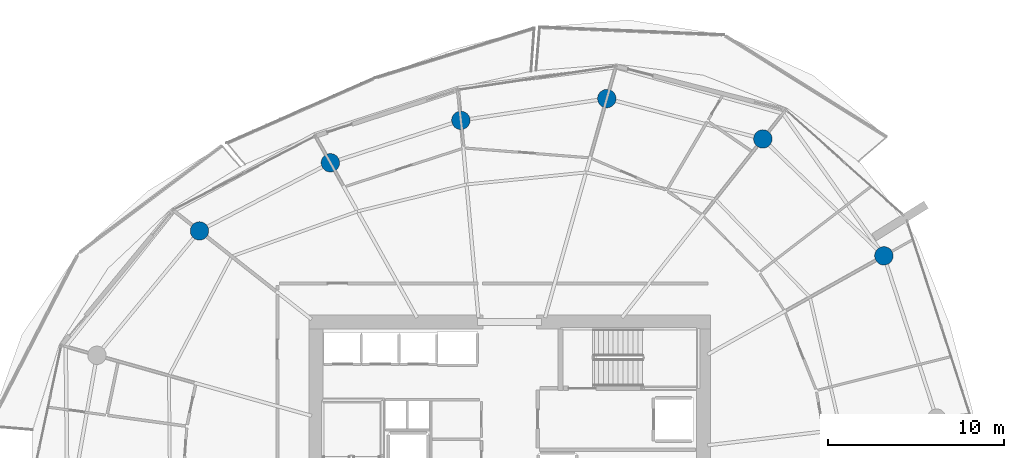
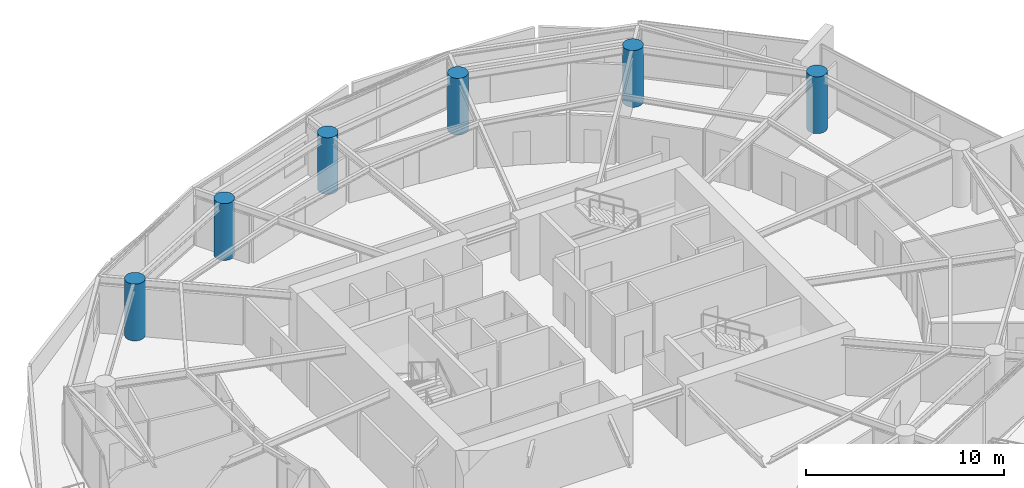
# One storey, part 4 of 20: 6 columns.
"""IFC4 building model written with IfcOpenShell, lengths in metres."""

from ifc_helpers import new_model, si_unit, direction, frame, origin, origin_2d, place, context, subcontext, project, spatial, circle, extrude, material, material_profile, profile_set, type_object, element, save


model = new_model("IFC4")

# Units and contexts
model_context = context("Model", 3, precision=1e-05, world=origin(), true_north=direction((0.0, 1.0)))
body_context = subcontext(model_context, "Body", "Model", "MODEL_VIEW")
ifc_project = project(units=[si_unit("LENGTHUNIT", "METRE"), si_unit("AREAUNIT", "SQUARE_METRE"), si_unit("VOLUMEUNIT", "CUBIC_METRE"), si_unit("PLANEANGLEUNIT", "RADIAN"), si_unit("MASSUNIT", "GRAM", prefix="KILO")], contexts=[model_context])

# Site, building, storey
site_placement = place(None, origin())
site = spatial("IfcSite", under=ifc_project, at=site_placement, CompositionType="ELEMENT")
building_placement = place(site_placement, origin())
building = spatial("IfcBuilding", under=site, at=building_placement, Name="Kazma Halo Residences", CompositionType="ELEMENT")
storey_placement = place(building_placement, frame((0.0, 0.0, 131.550048828125)))
storey = spatial("IfcBuildingStorey", under=building, at=storey_placement, Name="L32", CompositionType="ELEMENT", Elevation=131.550048828125)

# Columns
ifc_material = material(Name="Concrete C80/95", Category="concrete")
ifc_material_profile = material_profile(ifc_material, circle(Radius=0.52490234375, at=origin_2d()), Name="CIRC1050")
ifc_profile_set = profile_set([ifc_material_profile], Name="Concrete C80/95")
column_type = type_object("IfcColumnType", Name="COL-PERIM-1050", PredefinedType="COLUMN", material=ifc_profile_set)
for number, where, z_axis, x_axis, name in (
    (1, (69.730224609375, 54.16943359375, 0.0), (0.0, 0.0, 1.0), (1.0, 0.0, 0.0), "L32 perimeter ring column P01"),
    (2, (62.839599609375, 60.82373046875, 0.0), (0.0, 0.0, 1.0), (1.0, 0.0, 0.0), "L32 perimeter ring column P02"),
    (3, (53.95703125, 63.121826171875, 0.0), (0.0, 0.0, 1.0), (1.0, 0.0, 0.0), "L32 perimeter ring column P03"),
    (4, (45.64697265625, 61.881103515625, 0.0), (0.0, 0.0, 1.0), (1.0, 0.0, 0.0), "L32 perimeter ring column P04"),
    (5, (38.218017578125, 59.46728515625, 0.0), (0.0, 0.0, 1.0), (1.0, 0.0, 0.0), "L32 perimeter ring column P05"),
    (6, (30.765625, 55.58642578125, 0.0), (0.0, 0.0, 1.0), (1.0, 0.0, 0.0), "L32 perimeter ring column P06"),
):
    element("IfcColumn", number, at=place(storey_placement, frame(where, z_axis=z_axis, x_axis=x_axis)), inside=storey, type_object=column_type, Name=name, PredefinedType="COLUMN", context=body_context, shape_type="SweptSolid", body=[
        extrude(circle(Radius=0.52490234375, at=origin_2d()), origin(), (0.0, 0.0, 1.0), 3.5),
    ])

save(model, "model.ifc")
